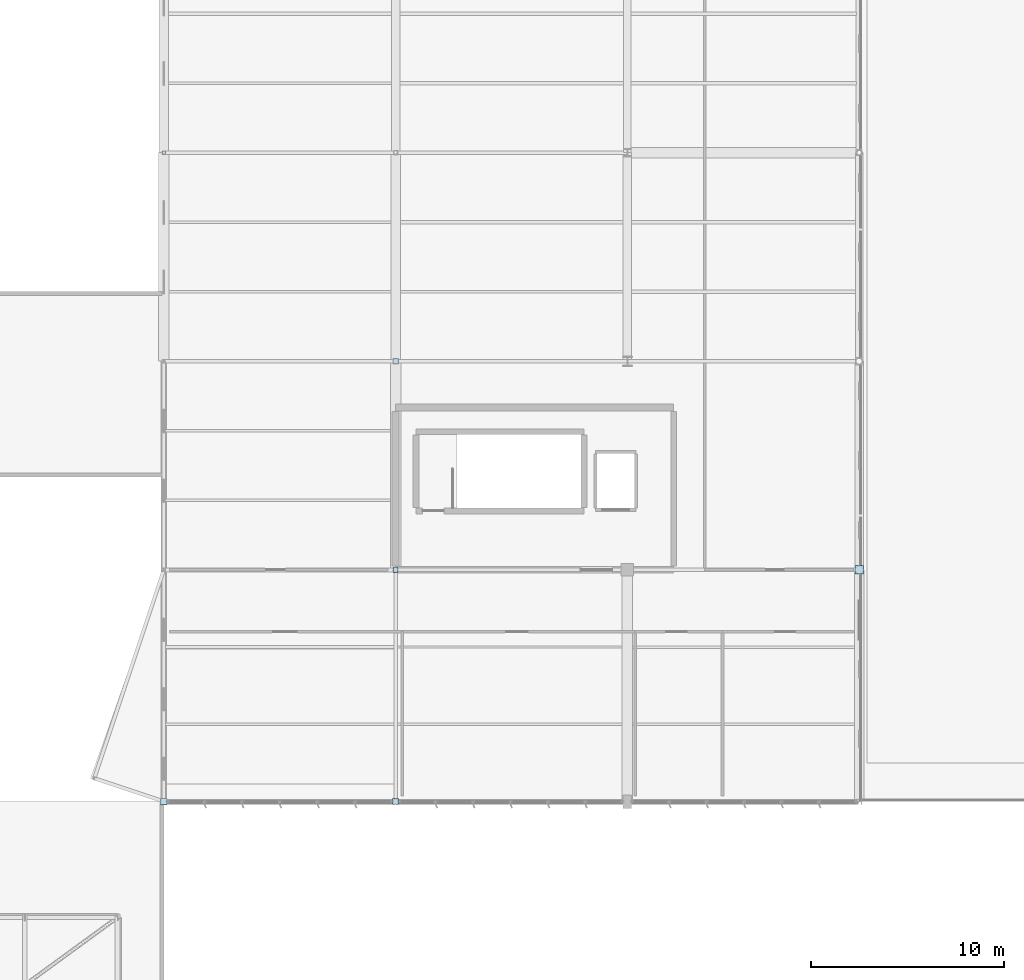
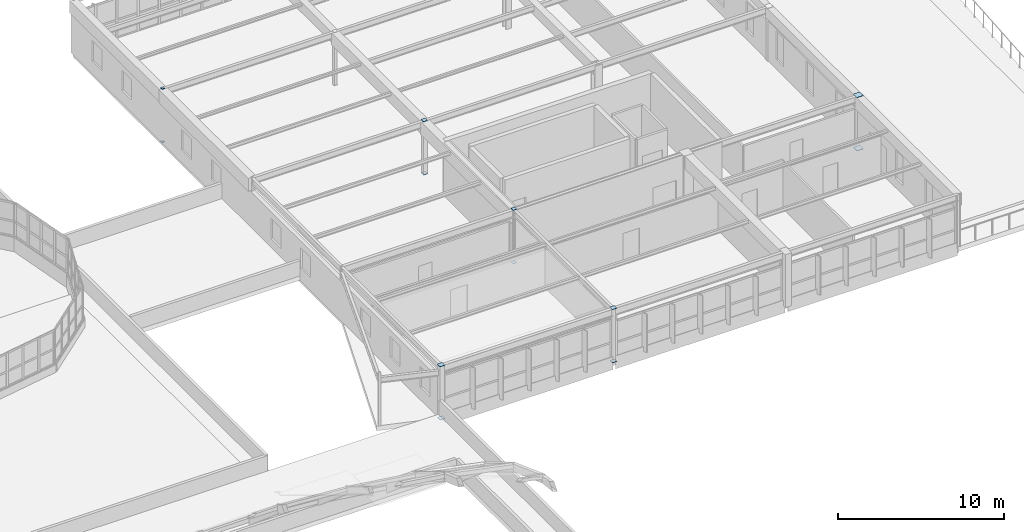
# One storey, part 98 of 128: 12 plates.
"""IFC4 building model written with IfcOpenShell, lengths in metres."""

from ifc_helpers import new_model, si_unit, direction, frame, origin, origin_2d, place, context, subcontext, project, spatial, rectangle, extrude, material, layer, layer_set, type_object, element, save


model = new_model("IFC4")

# Units and contexts
model_context = context("Model", 3, precision=1e-05, world=origin(), true_north=direction((0.0, 1.0)))
body_context = subcontext(model_context, "Body", "Model", "MODEL_VIEW")
ifc_project = project(units=[si_unit("LENGTHUNIT", "METRE"), si_unit("AREAUNIT", "SQUARE_METRE"), si_unit("VOLUMEUNIT", "CUBIC_METRE"), si_unit("PLANEANGLEUNIT", "RADIAN"), si_unit("MASSUNIT", "GRAM", prefix="KILO")], contexts=[model_context])

# Site, building, storey
site_placement = place(None, origin())
site = spatial("IfcSite", under=ifc_project, at=site_placement, CompositionType="ELEMENT")
building_placement = place(site_placement, origin())
building = spatial("IfcBuilding", under=site, at=building_placement, Name="Tarnwether General Hospital", CompositionType="ELEMENT")
storey_placement = place(building_placement, frame((0.0, 0.0, 14.39990234375)))
storey = spatial("IfcBuildingStorey", under=building, at=storey_placement, Name="L03", CompositionType="ELEMENT", Elevation=14.39990234375)

# Plates
ifc_material = material(Name="Steel Grade 350 (350 MPa)", Category="steel")
ifc_layer = layer(ifc_material, 0.02490234375)
ifc_layer_set = layer_set([ifc_layer], Name="Steel Grade 350 (350 MPa)")
plate_type = type_object("IfcPlateType", Name="PT-GUS2", PredefinedType="USERDEFINED", material=ifc_layer_set)
for number, where, z_axis, x_axis, name in (
    (1, (144.0, 81.60009765625, -0.02490234375), (0.0, 0.0, 1.0), (1.0, 0.0, 0.0), "Hollow Section Welded End Cap Plate 0291"),
    (2, (144.0, 81.60009765625, 3.900146484375), (0.0, 0.0, 1.0), (1.0, 0.0, 0.0), "Hollow Section Welded End Cap Plate 0292"),
):
    element("IfcPlate", number, at=place(storey_placement, frame(where, z_axis=z_axis, x_axis=x_axis)), inside=storey, type_object=plate_type, Name=name, ObjectType="GUSSET", PredefinedType="USERDEFINED", context=body_context, shape_type="SweptSolid", body=[
        extrude(rectangle(XDim=0.340087890625, YDim=0.340087890625, at=origin_2d()), origin(), (0.0, 0.0, 1.0), 0.02490234375),
    ])
for number, where, z_axis, x_axis, name in (
    (3, (144.0, 115.199951171875, -0.02490234375), (0.0, 0.0, 1.0), (1.0, 0.0, 0.0), "Hollow Section Welded End Cap Plate 0305"),
    (4, (144.0, 115.199951171875, 3.900146484375), (0.0, 0.0, 1.0), (1.0, 0.0, 0.0), "Hollow Section Welded End Cap Plate 0306"),
):
    element("IfcPlate", number, at=place(storey_placement, frame(where, z_axis=z_axis, x_axis=x_axis)), inside=storey, type_object=plate_type, Name=name, ObjectType="GUSSET", PredefinedType="USERDEFINED", context=body_context, shape_type="SweptSolid", body=[
        extrude(rectangle(XDim=0.18994140625, YDim=0.18994140625, at=origin_2d()), origin(), (0.0, 0.0, 1.0), 0.02490234375),
    ])
for number, where, z_axis, x_axis, name in (
    (5, (156.0, 81.60009765625, -0.02490234375), (0.0, 0.0, 1.0), (1.0, 0.0, 0.0), "Hollow Section Welded End Cap Plate 0327"),
    (6, (156.0, 81.60009765625, 3.900146484375), (0.0, 0.0, 1.0), (1.0, 0.0, 0.0), "Hollow Section Welded End Cap Plate 0328"),
):
    element("IfcPlate", number, at=place(storey_placement, frame(where, z_axis=z_axis, x_axis=x_axis)), inside=storey, type_object=plate_type, Name=name, ObjectType="GUSSET", PredefinedType="USERDEFINED", context=body_context, shape_type="SweptSolid", body=[
        extrude(rectangle(XDim=0.31298828125, YDim=0.31298828125, at=origin_2d()), origin(), (0.0, 0.0, 1.0), 0.02490234375),
    ])
for number, where, z_axis, x_axis, name in (
    (7, (156.0, 93.60009765625, -0.02490234375), (0.0, 0.0, 1.0), (1.0, 0.0, 0.0), "Hollow Section Welded End Cap Plate 0335"),
    (8, (156.0, 93.60009765625, 3.900146484375), (0.0, 0.0, 1.0), (1.0, 0.0, 0.0), "Hollow Section Welded End Cap Plate 0336"),
):
    element("IfcPlate", number, at=place(storey_placement, frame(where, z_axis=z_axis, x_axis=x_axis)), inside=storey, type_object=plate_type, Name=name, ObjectType="GUSSET", PredefinedType="USERDEFINED", context=body_context, shape_type="SweptSolid", body=[
        extrude(rectangle(XDim=0.259033203125, YDim=0.259033203125, at=origin_2d()), origin(), (0.0, 0.0, 1.0), 0.02490234375),
    ])
for number, where, z_axis, x_axis, name in (
    (9, (156.0, 104.39990234375, -0.02490234375), (0.0, 0.0, 1.0), (1.0, 0.0, 0.0), "Hollow Section Welded End Cap Plate 0345"),
    (10, (156.0, 104.39990234375, 3.900146484375), (0.0, 0.0, 1.0), (1.0, 0.0, 0.0), "Hollow Section Welded End Cap Plate 0346"),
):
    element("IfcPlate", number, at=place(storey_placement, frame(where, z_axis=z_axis, x_axis=x_axis)), inside=storey, type_object=plate_type, Name=name, ObjectType="GUSSET", PredefinedType="USERDEFINED", context=body_context, shape_type="SweptSolid", body=[
        extrude(rectangle(XDim=0.2900390625, YDim=0.2900390625, at=origin_2d()), origin(), (0.0, 0.0, 1.0), 0.02490234375),
    ])
for number, where, z_axis, x_axis, name in (
    (11, (180.0, 93.60009765625, -0.02490234375), (0.0, 0.0, 1.0), (1.0, 0.0, 0.0), "Hollow Section Welded End Cap Plate 0383"),
    (12, (180.0, 93.60009765625, 3.900146484375), (0.0, 0.0, 1.0), (1.0, 0.0, 0.0), "Hollow Section Welded End Cap Plate 0384"),
):
    element("IfcPlate", number, at=place(storey_placement, frame(where, z_axis=z_axis, x_axis=x_axis)), inside=storey, type_object=plate_type, Name=name, ObjectType="GUSSET", PredefinedType="USERDEFINED", context=body_context, shape_type="SweptSolid", body=[
        extrude(rectangle(XDim=0.446044921875, YDim=0.446044921875, at=origin_2d()), origin(), (0.0, 0.0, 1.0), 0.02490234375),
    ])

save(model, "model.ifc")
